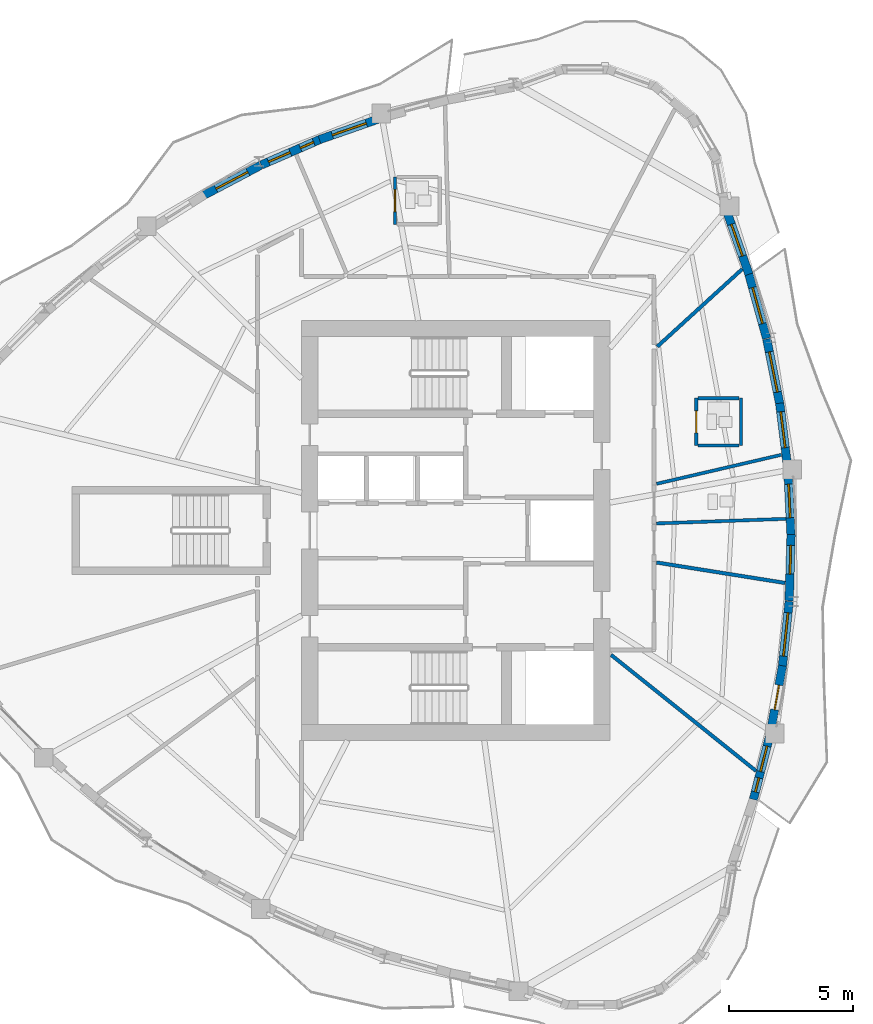
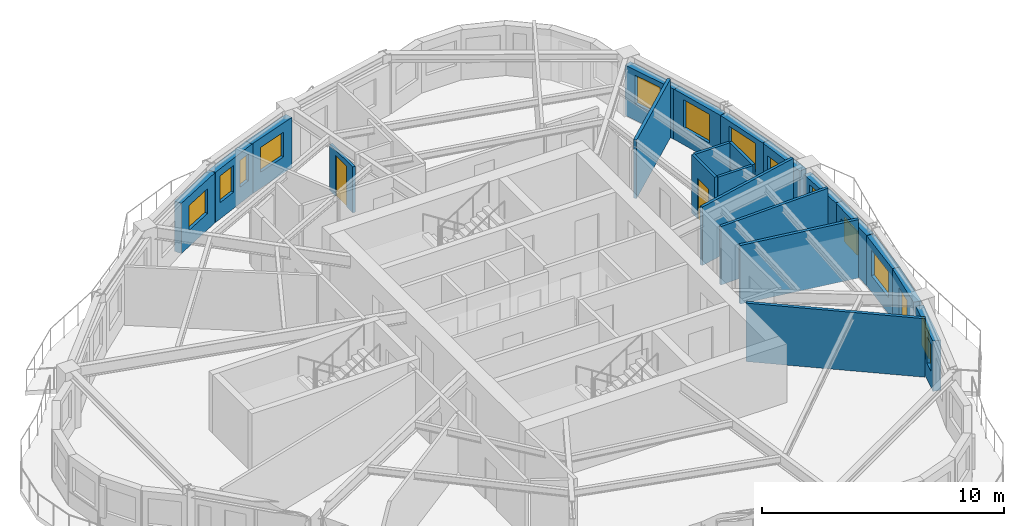
# One storey, part 8 of 13: 22 walls, 13 windows, 3 doors, 16 openings.
"""IFC4 building model written with IfcOpenShell, lengths in metres."""

from ifc_helpers import new_model, si_unit, direction, frame, frame_2d, origin, place, context, subcontext, project, spatial, rectangle, extrude, source, transform, mapped, material, layer, layer_set, type_object, element, fill, save


model = new_model("IFC4")

# Units and contexts
model_context = context("Model", 3, precision=1e-05, world=origin(), true_north=direction((0.0, 1.0)))
body_context = subcontext(model_context, "Body", "Model", "MODEL_VIEW")
ifc_project = project(units=[si_unit("LENGTHUNIT", "METRE"), si_unit("AREAUNIT", "SQUARE_METRE"), si_unit("VOLUMEUNIT", "CUBIC_METRE"), si_unit("PLANEANGLEUNIT", "RADIAN"), si_unit("MASSUNIT", "GRAM", prefix="KILO")], contexts=[model_context])

# Site, building, storey
site_placement = place(None, origin())
site = spatial("IfcSite", under=ifc_project, at=site_placement, CompositionType="ELEMENT")
building_placement = place(site_placement, origin())
building = spatial("IfcBuilding", under=site, at=building_placement, Name="Qafzar Sky-Pleat Residences", CompositionType="ELEMENT")
storey_placement = place(building_placement, frame((0.0, 0.0, 133.0)))
storey = spatial("IfcBuildingStorey", under=building, at=storey_placement, Name="L39", CompositionType="ELEMENT", Elevation=133.0)

# Walls
ifc_material_1 = material(Name="Acoustic gypsum plasterboard partition", Category="gypsum")
ifc_layer_1 = layer(ifc_material_1, 0.14501953125)
ifc_layer_set_1 = layer_set([ifc_layer_1], Name="Acoustic gypsum plasterboard partition")
wall_type_1 = type_object("IfcWallType", Name="PART-UNIT-145", PredefinedType="PARTITIONING", material=ifc_layer_set_1)
wall_1_placement = place(storey_placement, frame((36.6015625, 20.99658203125, 0.0), z_axis=(0.0, 0.0, 1.0), x_axis=(0.780696683128, -0.624910144703, 0.0)))
element("IfcWall", 1, at=wall_1_placement, inside=storey, type_object=wall_type_1, Name="L39 Partition Wall PART-L39-PW-018", PredefinedType="PARTITIONING", context=body_context, shape_type="SweptSolid", body=[
    extrude(rectangle(XDim=7.4736328125, YDim=0.14501953125, at=frame_2d((3.73681640625, 0.0))), origin(), (0.0, 0.0, 1.0), 2.949951171875),
])
wall_2_placement = place(storey_placement, frame((38.42919921875, 24.714111328125, 0.0), z_axis=(0.0, 0.0, 1.0), x_axis=(0.987561894046, -0.157230739454, 0.0)))
element("IfcWall", 2, at=wall_2_placement, inside=storey, type_object=wall_type_1, Name="L39 Partition Wall PART-L39-PW-020", PredefinedType="PARTITIONING", context=body_context, shape_type="SweptSolid", body=[
    extrude(rectangle(XDim=5.239013671875, YDim=0.14501953125, at=frame_2d((2.61962890625, 0.0))), origin(), (0.0, 0.0, 1.0), 2.949951171875),
])
wall_3_placement = place(storey_placement, frame((38.46484375, 33.405029296875, 0.0), z_axis=(0.0, 0.0, 1.0), x_axis=(0.738623645331, 0.674118024205, 0.0)))
element("IfcWall", 3, at=wall_3_placement, inside=storey, type_object=wall_type_1, Name="L39 Partition Wall PART-L39-PW-024", PredefinedType="PARTITIONING", context=body_context, shape_type="SweptSolid", body=[
    extrude(rectangle(XDim=4.62890625, YDim=0.14501953125, at=frame_2d((2.314453125, 0.0))), origin(), (0.0, 0.0, 1.0), 2.949951171875),
])

# Wall, opening, door
ifc_material_2 = material(Name="Moisture-resistant gypsum partition", Category="gypsum")
ifc_layer_2 = layer(ifc_material_2, 0.1298828125)
ifc_layer_set_2 = layer_set([ifc_layer_2], Name="Moisture-resistant gypsum partition")
wall_type_2 = type_object("IfcWallType", Name="PART-WET-130", PredefinedType="PARTITIONING", material=ifc_layer_set_2)
wall_4_placement = place(storey_placement, frame((40.02490234375, 31.324951171875, 0.0), z_axis=(0.0, 0.0, 1.0), x_axis=(0.0, -1.0, 0.0)))
wall_4 = element("IfcWall", 4, at=wall_4_placement, inside=storey, type_object=wall_type_2, Name="L39 Partition Wall PART-L39-PW-009", PredefinedType="PARTITIONING", context=body_context, shape_type="SweptSolid", body=[
    extrude(rectangle(XDim=1.89990234375, YDim=0.1298828125, at=frame_2d((0.949951171875, 0.0))), origin(), (0.0, 0.0, 1.0), 2.949951171875),
])
opening_1_placement = place(wall_4_placement, frame((0.510009765625, 0.0, 0.0)))
opening_1 = element("IfcOpeningElement", 5, at=opening_1_placement, cuts=wall_4, Name="Opening ID-07", PredefinedType="OPENING", context=body_context, shape_type="SweptSolid", body=[
    extrude(rectangle(XDim=0.8798828125, YDim=2.050048828125, at=frame_2d((0.43994140625, 1.02490234375))), frame((0.0, 0.074951171875, 0.0), z_axis=(0.0, -1.0, 0.0), x_axis=(1.0, 0.0, 0.0)), (0.0, 0.0, 1.0), 0.14990234375),
])
ifc_material_3 = material(Name="Timber-faced fire door", Category="wood")
door_type_1 = type_object("IfcDoorType", Name="DR-WET-880", OperationType="NOTDEFINED", PredefinedType="DOOR", material=ifc_material_3)
shared_shape_1 = source(origin(), body_context, "Body", "SweptSolid", [
    extrude(rectangle(XDim=0.8798828125, YDim=2.050048828125, at=frame_2d((0.43994140625, 1.02490234375))), frame((0.0, 0.02490234375, 0.0), z_axis=(0.0, -1.0, 0.0), x_axis=(1.0, 0.0, 0.0)), (0.0, 0.0, 1.0), 0.050048828125),
])
door_1_placement = place(opening_1_placement, origin())
door_1 = element("IfcDoor", 6, at=door_1_placement, inside=storey, type_object=door_type_1, Name="L39 En-suite Bathroom 1 Door", OperationType="SINGLE_SWING_RIGHT", OverallHeight=2.050048828125, OverallWidth=0.8798828125, PredefinedType="DOOR", context=body_context, shape_type="MappedRepresentation", body=[
    mapped(shared_shape_1, transform((0.0, 0.0, 0.0), x_axis=(1.0, 0.0, 0.0), y_axis=(0.0, 1.0, 0.0), z_axis=(0.0, 0.0, 1.0), scale=1.0)),
])
fill(opening_1, door_1)

wall_5_placement = place(storey_placement, frame((27.906005859375, 40.22509765625, 0.0), z_axis=(0.0, 0.0, 1.0), x_axis=(0.0, -1.0, 0.0)))
wall_5 = element("IfcWall", 7, at=wall_5_placement, inside=storey, type_object=wall_type_2, Name="L39 Partition Wall PART-L39-PW-010", PredefinedType="PARTITIONING", context=body_context, shape_type="SweptSolid", body=[
    extrude(rectangle(XDim=1.900146484375, YDim=0.1298828125, at=frame_2d((0.9501953125, 0.0))), origin(), (0.0, 0.0, 1.0), 2.318115234375),
])
opening_2_placement = place(wall_5_placement, frame((0.510009765625, 0.0, 0.0)))
opening_2 = element("IfcOpeningElement", 8, at=opening_2_placement, cuts=wall_5, Name="Opening ID-07", PredefinedType="OPENING", context=body_context, shape_type="SweptSolid", body=[
    extrude(rectangle(XDim=0.8798828125, YDim=2.050048828125, at=frame_2d((0.43994140625, 1.02490234375))), frame((0.0, 0.074951171875, 0.0), z_axis=(0.0, -1.0, 0.0), x_axis=(1.0, 0.0, 0.0)), (0.0, 0.0, 1.0), 0.14990234375),
])
door_2_placement = place(opening_2_placement, origin())
door_2 = element("IfcDoor", 9, at=door_2_placement, inside=storey, type_object=door_type_1, Name="L39 En-suite Bathroom 2 Door", OperationType="SINGLE_SWING_LEFT", OverallHeight=2.050048828125, OverallWidth=0.8798828125, PredefinedType="DOOR", context=body_context, shape_type="MappedRepresentation", body=[
    mapped(shared_shape_1, transform((0.0, 0.0, 0.0), x_axis=(1.0, 0.0, 0.0), y_axis=(0.0, 1.0, 0.0), z_axis=(0.0, 0.0, 1.0), scale=1.0)),
])
fill(opening_2, door_2)

# Walls
wall_6_placement = place(storey_placement, frame((38.42041015625, 26.28515625, 0.0), z_axis=(0.0, 0.0, 1.0), x_axis=(0.999370581131, 0.03547452002, 0.0)))
element("IfcWall", 10, at=wall_6_placement, inside=storey, type_object=wall_type_2, Name="L39 Partition Wall PART-L39-PW-022", PredefinedType="PARTITIONING", context=body_context, shape_type="SweptSolid", body=[
    extrude(rectangle(XDim=5.216552734375, YDim=0.1298828125, at=frame_2d((2.6083984375, 0.0))), origin(), (0.0, 0.0, 1.0), 2.949951171875),
])
wall_7_placement = place(storey_placement, frame((38.4326171875, 27.8798828125, 0.0), z_axis=(0.0, 0.0, 1.0), x_axis=(0.974013368575, 0.226490524828, 0.0)))
element("IfcWall", 11, at=wall_7_placement, inside=storey, type_object=wall_type_2, Name="L39 Partition Wall PART-L39-PW-023", PredefinedType="PARTITIONING", context=body_context, shape_type="SweptSolid", body=[
    extrude(rectangle(XDim=5.158935546875, YDim=0.1298828125, at=frame_2d((2.57958984375, 0.0))), origin(), (0.0, 0.0, 1.0), 2.949951171875),
])
wall_8_placement = place(storey_placement, frame((41.824951171875, 29.425048828125, 0.0), z_axis=(0.0, 0.0, 1.0), x_axis=(0.0, 1.0, 0.0)))
element("IfcWall", 12, at=wall_8_placement, inside=storey, type_object=wall_type_2, Name="L39 Partition Wall PART-L39-PW-027", PredefinedType="PARTITIONING", context=body_context, shape_type="SweptSolid", body=[
    extrude(rectangle(XDim=1.89990234375, YDim=0.1298828125, at=frame_2d((0.949951171875, 0.0))), origin(), (0.0, 0.0, 1.0), 2.949951171875),
])
for number, where, z_axis, x_axis, name in (
    (13, (40.097900390625, 31.324951171875, 0.0), (0.0, 0.0, 1.0), (1.0, 0.0, 0.0), "L39 Partition Wall PART-L39-PW-030"),
    (14, (40.097900390625, 29.425048828125, 0.0), (0.0, 0.0, 1.0), (1.0, 0.0, 0.0), "L39 Partition Wall PART-L39-PW-031"),
):
    element("IfcWall", number, at=place(storey_placement, frame(where, z_axis=z_axis, x_axis=x_axis)), inside=storey, type_object=wall_type_2, Name=name, PredefinedType="PARTITIONING", context=body_context, shape_type="SweptSolid", body=[
        extrude(rectangle(XDim=1.654052734375, YDim=0.1298828125, at=frame_2d((0.8271484375, 0.0))), origin(), (0.0, 0.0, 1.0), 2.949951171875),
    ])

# Wall, openings, windows
ifc_material_4 = material(Name="Precast concrete C40/50 with honed Riyadh limestone", Category="concrete")
ifc_layer_3 = layer(ifc_material_4, 0.340087890625)
ifc_layer_set_3 = layer_set([ifc_layer_3], Name="Precast concrete C40/50 with honed Riyadh limestone")
wall_type_3 = type_object("IfcWallType", Name="WALL-EXT-340", PredefinedType="SOLIDWALL", material=ifc_layer_set_3)
wall_9_placement = place(storey_placement, frame((42.3291015625, 15.177001953125, 0.0), z_axis=(0.0, 0.0, 1.0), x_axis=(0.247819063092, 0.968806333571, 0.0)))
wall_9 = element("IfcWall", 15, at=wall_9_placement, inside=storey, type_object=wall_type_3, Name="L39 Limestone Facade Wall 24", PredefinedType="SOLIDWALL", context=body_context, shape_type="SweptSolid", body=[
    extrude(rectangle(XDim=2.62939453125, YDim=0.340087890625, at=frame_2d((1.314697265625, 0.0))), origin(), (0.0, 0.0, 1.0), 2.530029296875),
])
opening_3_placement = place(wall_9_placement, frame((0.315185546875, 0.0, 0.820068359375)))
opening_3 = element("IfcOpeningElement", 16, at=opening_3_placement, cuts=wall_9, Name="Opening WN-17", PredefinedType="OPENING", context=body_context, shape_type="SweptSolid", body=[
    extrude(rectangle(XDim=0.580078125, YDim=1.35009765625, at=frame_2d((0.2900390625, 0.675048828125))), frame((0.0, 0.18017578125, 0.0), z_axis=(0.0, -1.0, 0.0), x_axis=(1.0, 0.0, 0.0)), (0.0, 0.0, 1.0), 0.360107421875),
])
opening_4_placement = place(wall_9_placement, frame((1.160400390625, 0.0, 0.820068359375)))
opening_4 = element("IfcOpeningElement", 17, at=opening_4_placement, cuts=wall_9, Name="Opening WN-06", PredefinedType="OPENING", context=body_context, shape_type="SweptSolid", body=[
    extrude(rectangle(XDim=1.050048828125, YDim=1.449951171875, at=frame_2d((0.52490234375, 0.72509765625))), frame((0.0, 0.18017578125, 0.0), z_axis=(0.0, -1.0, 0.0), x_axis=(1.0, 0.0, 0.0)), (0.0, 0.0, 1.0), 0.360107421875),
])
ifc_material_5 = material(Name="Solar-control low-E glass in bronze aluminium frame", Category="glass")
window_type_1 = type_object("IfcWindowType", Name="WIN-17", PartitioningType="SINGLE_PANEL", PredefinedType="WINDOW", material=ifc_material_5)
shared_shape_2 = source(origin(), body_context, "Body", "SweptSolid", [
    extrude(rectangle(XDim=0.580078125, YDim=1.35009765625, at=frame_2d((0.2900390625, 0.675048828125))), frame((0.0, 0.030029296875, 0.0), z_axis=(0.0, -1.0, 0.0), x_axis=(1.0, 0.0, 0.0)), (0.0, 0.0, 1.0), 0.06005859375),
])
window_1_placement = place(opening_3_placement, origin())
window_1 = element("IfcWindow", 18, at=window_1_placement, inside=storey, type_object=window_type_1, Name="L39 Punched Facade Window 24", OverallHeight=1.35009765625, OverallWidth=0.580078125, PartitioningType="SINGLE_PANEL", PredefinedType="WINDOW", context=body_context, shape_type="MappedRepresentation", body=[
    mapped(shared_shape_2, transform((0.0, 0.0, 0.0), x_axis=(1.0, 0.0, 0.0), y_axis=(0.0, 1.0, 0.0), z_axis=(0.0, 0.0, 1.0), scale=1.0)),
])
fill(opening_3, window_1)
window_type_2 = type_object("IfcWindowType", Name="WIN-06", PartitioningType="SINGLE_PANEL", PredefinedType="WINDOW", material=ifc_material_5)
shared_shape_3 = source(origin(), body_context, "Body", "SweptSolid", [
    extrude(rectangle(XDim=1.050048828125, YDim=1.449951171875, at=frame_2d((0.52490234375, 0.72509765625))), frame((0.0, 0.030029296875, 0.0), z_axis=(0.0, -1.0, 0.0), x_axis=(1.0, 0.0, 0.0)), (0.0, 0.0, 1.0), 0.06005859375),
])
window_2_placement = place(opening_4_placement, origin())
window_2 = element("IfcWindow", 19, at=window_2_placement, inside=storey, type_object=window_type_2, Name="L39 Punched Facade Window 24-2", OverallHeight=1.449951171875, OverallWidth=1.050048828125, PartitioningType="SINGLE_PANEL", PredefinedType="WINDOW", context=body_context, shape_type="MappedRepresentation", body=[
    mapped(shared_shape_3, transform((0.0, 0.0, 0.0), x_axis=(1.0, 0.0, 0.0), y_axis=(0.0, 1.0, 0.0), z_axis=(0.0, 0.0, 1.0), scale=1.0)),
])
fill(opening_4, window_2)

# Wall, opening, door
wall_10_placement = place(storey_placement, frame((43.0439453125, 18.01513671875, 0.0), z_axis=(0.0, 0.0, 1.0), x_axis=(0.177114569603, 0.984190240367, 0.0)))
wall_10 = element("IfcWall", 20, at=wall_10_placement, inside=storey, type_object=wall_type_3, Name="L39 Limestone Facade Wall 25", PredefinedType="SOLIDWALL", context=body_context, shape_type="SweptSolid", body=[
    extrude(rectangle(XDim=2.58447265625, YDim=0.340087890625, at=frame_2d((1.292236328125, 0.0))), origin(), (0.0, 0.0, 1.0), 2.530029296875),
])
opening_5_placement = place(wall_10_placement, frame((0.792236328125, 0.0, 0.0)))
opening_5 = element("IfcOpeningElement", 21, at=opening_5_placement, cuts=wall_10, Name="Opening ED-05", PredefinedType="OPENING", context=body_context, shape_type="SweptSolid", body=[
    extrude(rectangle(XDim=1.0, YDim=2.10009765625, at=frame_2d((0.5, 1.050048828125))), frame((0.0, 0.18017578125, 0.0), z_axis=(0.0, -1.0, 0.0), x_axis=(1.0, 0.0, 0.0)), (0.0, 0.0, 1.0), 0.360107421875),
])
ifc_material_6 = material(Name="Glazed bronze aluminium door", Category="aluminium")
door_type_2 = type_object("IfcDoorType", Name="DR-BAL-1000", OperationType="NOTDEFINED", PredefinedType="DOOR", material=ifc_material_6)
shared_shape_4 = source(origin(), body_context, "Body", "SweptSolid", [
    extrude(rectangle(XDim=1.0, YDim=2.10009765625, at=frame_2d((0.5, 1.050048828125))), frame((0.0, 0.02490234375, 0.0), z_axis=(0.0, -1.0, 0.0), x_axis=(1.0, 0.0, 0.0)), (0.0, 0.0, 1.0), 0.050048828125),
])
door_3_placement = place(opening_5_placement, origin())
door_3 = element("IfcDoor", 22, at=door_3_placement, inside=storey, type_object=door_type_2, Name="L39 Glazed Balcony Door 1", OperationType="SINGLE_SWING_LEFT", OverallHeight=2.10009765625, OverallWidth=1.0, PredefinedType="DOOR", context=body_context, shape_type="MappedRepresentation", body=[
    mapped(shared_shape_4, transform((0.0, 0.0, 0.0), x_axis=(1.0, 0.0, 0.0), y_axis=(0.0, 1.0, 0.0), z_axis=(0.0, 0.0, 1.0), scale=1.0)),
])
fill(opening_5, door_3)

# Wall, opening, window
wall_11_placement = place(storey_placement, frame((43.489501953125, 20.47119140625, 0.0), z_axis=(0.0, 0.0, 1.0), x_axis=(0.103673439924, 0.99461139037, 0.0)))
wall_11 = element("IfcWall", 23, at=wall_11_placement, inside=storey, type_object=wall_type_3, Name="L39 Limestone Facade Wall 26", PredefinedType="SOLIDWALL", context=body_context, shape_type="SweptSolid", body=[
    extrude(rectangle(XDim=2.689208984375, YDim=0.340087890625, at=frame_2d((1.3447265625, 0.0))), origin(), (0.0, 0.0, 1.0), 2.530029296875),
])
opening_6_placement = place(wall_11_placement, frame((0.479736328125, 0.0, 0.820068359375)))
opening_6 = element("IfcOpeningElement", 24, at=opening_6_placement, cuts=wall_11, Name="Opening WN-14", PredefinedType="OPENING", context=body_context, shape_type="SweptSolid", body=[
    extrude(rectangle(XDim=1.75, YDim=1.300048828125, at=frame_2d((0.875, 0.64990234375))), frame((0.0, 0.18017578125, 0.0), z_axis=(0.0, -1.0, 0.0), x_axis=(1.0, 0.0, 0.0)), (0.0, 0.0, 1.0), 0.360107421875),
])
window_type_3 = type_object("IfcWindowType", Name="WIN-14", PartitioningType="DOUBLE_PANEL_VERTICAL", PredefinedType="WINDOW", material=ifc_material_5)
shared_shape_5 = source(origin(), body_context, "Body", "SweptSolid", [
    extrude(rectangle(XDim=1.75, YDim=1.300048828125, at=frame_2d((0.875, 0.64990234375))), frame((0.0, 0.030029296875, 0.0), z_axis=(0.0, -1.0, 0.0), x_axis=(1.0, 0.0, 0.0)), (0.0, 0.0, 1.0), 0.06005859375),
])
window_3_placement = place(opening_6_placement, origin())
window_3 = element("IfcWindow", 25, at=window_3_placement, inside=storey, type_object=window_type_3, Name="L39 Punched Facade Window 26", OverallHeight=1.300048828125, OverallWidth=1.75, PartitioningType="SINGLE_PANEL", PredefinedType="WINDOW", context=body_context, shape_type="MappedRepresentation", body=[
    mapped(shared_shape_5, transform((0.0, 0.0, 0.0), x_axis=(1.0, 0.0, 0.0), y_axis=(0.0, 1.0, 0.0), z_axis=(0.0, 0.0, 1.0), scale=1.0)),
])
fill(opening_6, window_3)

wall_12_placement = place(storey_placement, frame((43.77001953125, 23.173095703125, 0.0), z_axis=(0.0, 0.0, 1.0), x_axis=(0.028392968923, 0.999596838388, 0.0)))
wall_12 = element("IfcWall", 26, at=wall_12_placement, inside=storey, type_object=wall_type_3, Name="L39 Limestone Facade Wall 27", PredefinedType="SOLIDWALL", context=body_context, shape_type="SweptSolid", body=[
    extrude(rectangle(XDim=2.674072265625, YDim=0.340087890625, at=frame_2d((1.3369140625, 0.0))), origin(), (0.0, 0.0, 1.0), 2.530029296875),
])
opening_7_placement = place(wall_12_placement, frame((1.076416015625, 0.0, 0.820068359375)))
opening_7 = element("IfcOpeningElement", 27, at=opening_7_placement, cuts=wall_12, Name="Opening WN-16", PredefinedType="OPENING", context=body_context, shape_type="SweptSolid", body=[
    extrude(rectangle(XDim=1.14990234375, YDim=1.199951171875, at=frame_2d((0.574951171875, 0.60009765625))), frame((0.0, 0.18017578125, 0.0), z_axis=(0.0, -1.0, 0.0), x_axis=(1.0, 0.0, 0.0)), (0.0, 0.0, 1.0), 0.360107421875),
])
window_type_4 = type_object("IfcWindowType", Name="WIN-16", PartitioningType="SINGLE_PANEL", PredefinedType="WINDOW", material=ifc_material_5)
shared_shape_6 = source(origin(), body_context, "Body", "SweptSolid", [
    extrude(rectangle(XDim=1.14990234375, YDim=1.199951171875, at=frame_2d((0.574951171875, 0.60009765625))), frame((0.0, 0.030029296875, 0.0), z_axis=(0.0, -1.0, 0.0), x_axis=(1.0, 0.0, 0.0)), (0.0, 0.0, 1.0), 0.06005859375),
])
window_4_placement = place(opening_7_placement, origin())
window_4 = element("IfcWindow", 28, at=window_4_placement, inside=storey, type_object=window_type_4, Name="L39 Punched Facade Window 27-2", OverallHeight=1.199951171875, OverallWidth=1.14990234375, PartitioningType="SINGLE_PANEL", PredefinedType="WINDOW", context=body_context, shape_type="MappedRepresentation", body=[
    mapped(shared_shape_6, transform((0.0, 0.0, 0.0), x_axis=(1.0, 0.0, 0.0), y_axis=(0.0, 1.0, 0.0), z_axis=(0.0, 0.0, 1.0), scale=1.0)),
])
fill(opening_7, window_4)

wall_13_placement = place(storey_placement, frame((43.8466796875, 25.75732421875, 0.0), z_axis=(0.0, 0.0, 1.0), x_axis=(-0.047592557699, 0.998866832191, 0.0)))
wall_13 = element("IfcWall", 29, at=wall_13_placement, inside=storey, type_object=wall_type_3, Name="L39 Limestone Facade Wall 28", PredefinedType="SOLIDWALL", context=body_context, shape_type="SweptSolid", body=[
    extrude(rectangle(XDim=2.539306640625, YDim=0.340087890625, at=frame_2d((1.26953125, 0.0))), origin(), (0.0, 0.0, 1.0), 2.530029296875),
])
opening_8_placement = place(wall_13_placement, frame((0.760498046875, 0.0, 0.820068359375)))
opening_8 = element("IfcOpeningElement", 30, at=opening_8_placement, cuts=wall_13, Name="Opening WN-04", PredefinedType="OPENING", context=body_context, shape_type="SweptSolid", body=[
    extrude(rectangle(XDim=1.35009765625, YDim=1.449951171875, at=frame_2d((0.675048828125, 0.72509765625))), frame((0.0, 0.18017578125, 0.0), z_axis=(0.0, -1.0, 0.0), x_axis=(1.0, 0.0, 0.0)), (0.0, 0.0, 1.0), 0.360107421875),
])
window_type_5 = type_object("IfcWindowType", Name="WIN-04", PartitioningType="SINGLE_PANEL", PredefinedType="WINDOW", material=ifc_material_5)
shared_shape_7 = source(origin(), body_context, "Body", "SweptSolid", [
    extrude(rectangle(XDim=1.35009765625, YDim=1.449951171875, at=frame_2d((0.675048828125, 0.72509765625))), frame((0.0, 0.030029296875, 0.0), z_axis=(0.0, -1.0, 0.0), x_axis=(1.0, 0.0, 0.0)), (0.0, 0.0, 1.0), 0.06005859375),
])
window_5_placement = place(opening_8_placement, origin())
window_5 = element("IfcWindow", 31, at=window_5_placement, inside=storey, type_object=window_type_5, Name="L39 Punched Facade Window 28-2", OverallHeight=1.449951171875, OverallWidth=1.35009765625, PartitioningType="SINGLE_PANEL", PredefinedType="WINDOW", context=body_context, shape_type="MappedRepresentation", body=[
    mapped(shared_shape_7, transform((0.0, 0.0, 0.0), x_axis=(1.0, 0.0, 0.0), y_axis=(0.0, 1.0, 0.0), z_axis=(0.0, 0.0, 1.0), scale=1.0)),
])
fill(opening_8, window_5)

wall_14_placement = place(storey_placement, frame((43.70068359375, 28.589599609375, 0.0), z_axis=(0.0, 0.0, 1.0), x_axis=(-0.122917094115, 0.992416942607, 0.0)))
wall_14 = element("IfcWall", 32, at=wall_14_placement, inside=storey, type_object=wall_type_3, Name="L39 Limestone Facade Wall 29", PredefinedType="SOLIDWALL", context=body_context, shape_type="SweptSolid", body=[
    extrude(rectangle(XDim=2.55419921875, YDim=0.340087890625, at=frame_2d((1.277099609375, 0.0))), origin(), (0.0, 0.0, 1.0), 2.530029296875),
])
opening_9_placement = place(wall_14_placement, frame((0.756103515625, 0.0, 0.820068359375)))
opening_9 = element("IfcOpeningElement", 33, at=opening_9_placement, cuts=wall_14, Name="Opening WN-15", PredefinedType="OPENING", context=body_context, shape_type="SweptSolid", body=[
    extrude(rectangle(XDim=1.449951171875, YDim=1.25, at=frame_2d((0.72509765625, 0.625))), frame((0.0, 0.18017578125, 0.0), z_axis=(0.0, -1.0, 0.0), x_axis=(1.0, 0.0, 0.0)), (0.0, 0.0, 1.0), 0.360107421875),
])
window_type_6 = type_object("IfcWindowType", Name="WIN-15", PartitioningType="SINGLE_PANEL", PredefinedType="WINDOW", material=ifc_material_5)
shared_shape_8 = source(origin(), body_context, "Body", "SweptSolid", [
    extrude(rectangle(XDim=1.449951171875, YDim=1.25, at=frame_2d((0.72509765625, 0.625))), frame((0.0, 0.030029296875, 0.0), z_axis=(0.0, -1.0, 0.0), x_axis=(1.0, 0.0, 0.0)), (0.0, 0.0, 1.0), 0.06005859375),
])
window_6_placement = place(opening_9_placement, origin())
window_6 = element("IfcWindow", 34, at=window_6_placement, inside=storey, type_object=window_type_6, Name="L39 Punched Facade Window 29-2", OverallHeight=1.25, OverallWidth=1.449951171875, PartitioningType="SINGLE_PANEL", PredefinedType="WINDOW", context=body_context, shape_type="MappedRepresentation", body=[
    mapped(shared_shape_8, transform((0.0, 0.0, 0.0), x_axis=(1.0, 0.0, 0.0), y_axis=(0.0, 1.0, 0.0), z_axis=(0.0, 0.0, 1.0), scale=1.0)),
])
fill(opening_9, window_6)

wall_15_placement = place(storey_placement, frame((43.40087890625, 31.037109375, 0.0), z_axis=(0.0, 0.0, 1.0), x_axis=(-0.196047084538, 0.980594483283, 0.0)))
wall_15 = element("IfcWall", 35, at=wall_15_placement, inside=storey, type_object=wall_type_3, Name="L39 Limestone Facade Wall 30", PredefinedType="SOLIDWALL", context=body_context, shape_type="SweptSolid", body=[
    extrude(rectangle(XDim=2.7197265625, YDim=0.340087890625, at=frame_2d((1.35986328125, 0.0))), origin(), (0.0, 0.0, 1.0), 2.530029296875),
])
opening_10_placement = place(wall_15_placement, frame((0.544921875, 0.0, 0.820068359375)))
opening_10 = element("IfcOpeningElement", 36, at=opening_10_placement, cuts=wall_15, Name="Opening WN-02", PredefinedType="OPENING", context=body_context, shape_type="SweptSolid", body=[
    extrude(rectangle(XDim=1.64990234375, YDim=1.449951171875, at=frame_2d((0.824951171875, 0.72509765625))), frame((0.0, 0.18017578125, 0.0), z_axis=(0.0, -1.0, 0.0), x_axis=(1.0, 0.0, 0.0)), (0.0, 0.0, 1.0), 0.360107421875),
])
window_type_7 = type_object("IfcWindowType", Name="WIN-02", PartitioningType="DOUBLE_PANEL_VERTICAL", PredefinedType="WINDOW", material=ifc_material_5)
shared_shape_9 = source(origin(), body_context, "Body", "SweptSolid", [
    extrude(rectangle(XDim=1.64990234375, YDim=1.449951171875, at=frame_2d((0.824951171875, 0.72509765625))), frame((0.0, 0.030029296875, 0.0), z_axis=(0.0, -1.0, 0.0), x_axis=(1.0, 0.0, 0.0)), (0.0, 0.0, 1.0), 0.06005859375),
])
window_7_placement = place(opening_10_placement, origin())
window_7 = element("IfcWindow", 37, at=window_7_placement, inside=storey, type_object=window_type_7, Name="L39 Punched Facade Window 30", OverallHeight=1.449951171875, OverallWidth=1.64990234375, PartitioningType="SINGLE_PANEL", PredefinedType="WINDOW", context=body_context, shape_type="MappedRepresentation", body=[
    mapped(shared_shape_9, transform((0.0, 0.0, 0.0), x_axis=(1.0, 0.0, 0.0), y_axis=(0.0, 1.0, 0.0), z_axis=(0.0, 0.0, 1.0), scale=1.0)),
])
fill(opening_10, window_7)

wall_16_placement = place(storey_placement, frame((42.861083984375, 33.73095703125, 0.0), z_axis=(0.0, 0.0, 1.0), x_axis=(-0.266277078362, 0.96389652844, 0.0)))
wall_16 = element("IfcWall", 38, at=wall_16_placement, inside=storey, type_object=wall_type_3, Name="L39 Limestone Facade Wall 31", PredefinedType="SOLIDWALL", context=body_context, shape_type="SweptSolid", body=[
    extrude(rectangle(XDim=2.764404296875, YDim=0.340087890625, at=frame_2d((1.38232421875, 0.0))), origin(), (0.0, 0.0, 1.0), 2.530029296875),
])
opening_11_placement = place(wall_16_placement, frame((0.622314453125, 0.0, 0.820068359375)))
opening_11 = element("IfcOpeningElement", 39, at=opening_11_placement, cuts=wall_16, Name="Opening WN-03", PredefinedType="OPENING", context=body_context, shape_type="SweptSolid", body=[
    extrude(rectangle(XDim=1.5, YDim=1.449951171875, at=frame_2d((0.75, 0.72509765625))), frame((0.0, 0.18017578125, 0.0), z_axis=(0.0, -1.0, 0.0), x_axis=(1.0, 0.0, 0.0)), (0.0, 0.0, 1.0), 0.360107421875),
])
window_type_8 = type_object("IfcWindowType", Name="WIN-03", PartitioningType="DOUBLE_PANEL_VERTICAL", PredefinedType="WINDOW", material=ifc_material_5)
shared_shape_10 = source(origin(), body_context, "Body", "SweptSolid", [
    extrude(rectangle(XDim=1.5, YDim=1.449951171875, at=frame_2d((0.75, 0.72509765625))), frame((0.0, 0.030029296875, 0.0), z_axis=(0.0, -1.0, 0.0), x_axis=(1.0, 0.0, 0.0)), (0.0, 0.0, 1.0), 0.06005859375),
])
window_8_placement = place(opening_11_placement, origin())
window_8 = element("IfcWindow", 40, at=window_8_placement, inside=storey, type_object=window_type_8, Name="L39 Punched Facade Window 31", OverallHeight=1.449951171875, OverallWidth=1.5, PartitioningType="SINGLE_PANEL", PredefinedType="WINDOW", context=body_context, shape_type="MappedRepresentation", body=[
    mapped(shared_shape_10, transform((0.0, 0.0, 0.0), x_axis=(1.0, 0.0, 0.0), y_axis=(0.0, 1.0, 0.0), z_axis=(0.0, 0.0, 1.0), scale=1.0)),
])
fill(opening_11, window_8)

wall_17_placement = place(storey_placement, frame((42.151123046875, 36.31201171875, 0.0), z_axis=(0.0, 0.0, 1.0), x_axis=(-0.332691841861, 0.94303559761, 0.0)))
wall_17 = element("IfcWall", 41, at=wall_17_placement, inside=storey, type_object=wall_type_3, Name="L39 Limestone Facade Wall 32", PredefinedType="SOLIDWALL", context=body_context, shape_type="SweptSolid", body=[
    extrude(rectangle(XDim=2.68798828125, YDim=0.340087890625, at=frame_2d((1.343994140625, 0.0))), origin(), (0.0, 0.0, 1.0), 2.530029296875),
])
opening_12_placement = place(wall_17_placement, frame((0.78369140625, 0.0, 0.820068359375)))
opening_12 = element("IfcOpeningElement", 42, at=opening_12_placement, cuts=wall_17, Name="Opening WN-04", PredefinedType="OPENING", context=body_context, shape_type="SweptSolid", body=[
    extrude(rectangle(XDim=1.35009765625, YDim=1.449951171875, at=frame_2d((0.675048828125, 0.72509765625))), frame((0.0, 0.18017578125, 0.0), z_axis=(0.0, -1.0, 0.0), x_axis=(1.0, 0.0, 0.0)), (0.0, 0.0, 1.0), 0.360107421875),
])
window_9_placement = place(opening_12_placement, origin())
window_9 = element("IfcWindow", 43, at=window_9_placement, inside=storey, type_object=window_type_5, Name="L39 Punched Facade Window 32", OverallHeight=1.449951171875, OverallWidth=1.35009765625, PartitioningType="SINGLE_PANEL", PredefinedType="WINDOW", context=body_context, shape_type="MappedRepresentation", body=[
    mapped(shared_shape_7, transform((0.0, 0.0, 0.0), x_axis=(1.0, 0.0, 0.0), y_axis=(0.0, 1.0, 0.0), z_axis=(0.0, 0.0, 1.0), scale=1.0)),
])
fill(opening_12, window_9)

wall_18_placement = place(storey_placement, frame((27.261962890625, 42.569580078125, 0.0), z_axis=(0.0, 0.0, 1.0), x_axis=(-0.944148723561, -0.329519631884, 0.0)))
wall_18 = element("IfcWall", 44, at=wall_18_placement, inside=storey, type_object=wall_type_3, Name="L39 Limestone Facade Wall 41", PredefinedType="SOLIDWALL", context=body_context, shape_type="SweptSolid", body=[
    extrude(rectangle(XDim=2.539794921875, YDim=0.340087890625, at=frame_2d((1.27001953125, 0.0))), origin(), (0.0, 0.0, 1.0), 2.530029296875),
])
opening_13_placement = place(wall_18_placement, frame((0.539794921875, 0.0, 0.820068359375)))
opening_13 = element("IfcOpeningElement", 45, at=opening_13_placement, cuts=wall_18, Name="Opening WN-15", PredefinedType="OPENING", context=body_context, shape_type="SweptSolid", body=[
    extrude(rectangle(XDim=1.449951171875, YDim=1.25, at=frame_2d((0.72509765625, 0.625))), frame((0.0, 0.18017578125, 0.0), z_axis=(0.0, -1.0, 0.0), x_axis=(1.0, 0.0, 0.0)), (0.0, 0.0, 1.0), 0.360107421875),
])
window_10_placement = place(opening_13_placement, origin())
window_10 = element("IfcWindow", 46, at=window_10_placement, inside=storey, type_object=window_type_6, Name="L39 Punched Facade Window 41", OverallHeight=1.25, OverallWidth=1.449951171875, PartitioningType="SINGLE_PANEL", PredefinedType="WINDOW", context=body_context, shape_type="MappedRepresentation", body=[
    mapped(shared_shape_8, transform((0.0, 0.0, 0.0), x_axis=(1.0, 0.0, 0.0), y_axis=(0.0, 1.0, 0.0), z_axis=(0.0, 0.0, 1.0), scale=1.0)),
])
fill(opening_13, window_10)

# Wall, openings, windows
wall_19_placement = place(storey_placement, frame((24.946533203125, 41.764892578125, 0.0), z_axis=(0.0, 0.0, 1.0), x_axis=(-0.917074459221, -0.398715984435, 0.0)))
wall_19 = element("IfcWall", 47, at=wall_19_placement, inside=storey, type_object=wall_type_3, Name="L39 Limestone Facade Wall 42", PredefinedType="SOLIDWALL", context=body_context, shape_type="SweptSolid", body=[
    extrude(rectangle(XDim=2.64453125, YDim=0.340087890625, at=frame_2d((1.322265625, 0.0))), origin(), (0.0, 0.0, 1.0), 2.530029296875),
])
opening_14_placement = place(wall_19_placement, frame((0.344482421875, 0.0, 0.820068359375)))
opening_14 = element("IfcOpeningElement", 48, at=opening_14_placement, cuts=wall_19, Name="Opening WN-17", PredefinedType="OPENING", context=body_context, shape_type="SweptSolid", body=[
    extrude(rectangle(XDim=0.580078125, YDim=1.35009765625, at=frame_2d((0.2900390625, 0.675048828125))), frame((0.0, 0.18017578125, 0.0), z_axis=(0.0, -1.0, 0.0), x_axis=(1.0, 0.0, 0.0)), (0.0, 0.0, 1.0), 0.360107421875),
])
opening_15_placement = place(wall_19_placement, frame((1.3720703125, 0.0, 0.820068359375)))
opening_15 = element("IfcOpeningElement", 49, at=opening_15_placement, cuts=wall_19, Name="Opening WN-12", PredefinedType="OPENING", context=body_context, shape_type="SweptSolid", body=[
    extrude(rectangle(XDim=0.949951171875, YDim=1.35009765625, at=frame_2d((0.47509765625, 0.675048828125))), frame((0.0, 0.18017578125, 0.0), z_axis=(0.0, -1.0, 0.0), x_axis=(1.0, 0.0, 0.0)), (0.0, 0.0, 1.0), 0.360107421875),
])
window_type_9 = type_object("IfcWindowType", Name="WIN-12", PartitioningType="SINGLE_PANEL", PredefinedType="WINDOW", material=ifc_material_5)
shared_shape_11 = source(origin(), body_context, "Body", "SweptSolid", [
    extrude(rectangle(XDim=0.949951171875, YDim=1.35009765625, at=frame_2d((0.47509765625, 0.675048828125))), frame((0.0, 0.030029296875, 0.0), z_axis=(0.0, -1.0, 0.0), x_axis=(1.0, 0.0, 0.0)), (0.0, 0.0, 1.0), 0.06005859375),
])
window_11_placement = place(opening_15_placement, origin())
window_11 = element("IfcWindow", 50, at=window_11_placement, inside=storey, type_object=window_type_9, Name="L39 Punched Facade Window 42-2", OverallHeight=1.35009765625, OverallWidth=0.949951171875, PartitioningType="SINGLE_PANEL", PredefinedType="WINDOW", context=body_context, shape_type="MappedRepresentation", body=[
    mapped(shared_shape_11, transform((0.0, 0.0, 0.0), x_axis=(1.0, 0.0, 0.0), y_axis=(0.0, 1.0, 0.0), z_axis=(0.0, 0.0, 1.0), scale=1.0)),
])
fill(opening_15, window_11)
window_12_placement = place(opening_14_placement, origin())
window_12 = element("IfcWindow", 51, at=window_12_placement, inside=storey, type_object=window_type_1, Name="L39 Punched Facade Window 42", OverallHeight=1.35009765625, OverallWidth=0.580078125, PartitioningType="SINGLE_PANEL", PredefinedType="WINDOW", context=body_context, shape_type="MappedRepresentation", body=[
    mapped(shared_shape_2, transform((0.0, 0.0, 0.0), x_axis=(1.0, 0.0, 0.0), y_axis=(0.0, 1.0, 0.0), z_axis=(0.0, 0.0, 1.0), scale=1.0)),
])
fill(opening_14, window_12)

# Wall, opening, window
wall_20_placement = place(storey_placement, frame((22.496826171875, 40.69873046875, 0.0), z_axis=(0.0, 0.0, 1.0), x_axis=(-0.88439007496, -0.466748535415, 0.0)))
wall_20 = element("IfcWall", 52, at=wall_20_placement, inside=storey, type_object=wall_type_3, Name="L39 Limestone Facade Wall 43", PredefinedType="SOLIDWALL", context=body_context, shape_type="SweptSolid", body=[
    extrude(rectangle(XDim=2.6298828125, YDim=0.340087890625, at=frame_2d((1.31494140625, 0.0))), origin(), (0.0, 0.0, 1.0), 2.530029296875),
])
opening_16_placement = place(wall_20_placement, frame((0.579833984375, 0.0, 0.820068359375)))
opening_16 = element("IfcOpeningElement", 53, at=opening_16_placement, cuts=wall_20, Name="Opening WN-15", PredefinedType="OPENING", context=body_context, shape_type="SweptSolid", body=[
    extrude(rectangle(XDim=1.449951171875, YDim=1.25, at=frame_2d((0.72509765625, 0.625))), frame((0.0, 0.18017578125, 0.0), z_axis=(0.0, -1.0, 0.0), x_axis=(1.0, 0.0, 0.0)), (0.0, 0.0, 1.0), 0.360107421875),
])
window_13_placement = place(opening_16_placement, origin())
window_13 = element("IfcWindow", 54, at=window_13_placement, inside=storey, type_object=window_type_6, Name="L39 Punched Facade Window 43", OverallHeight=1.25, OverallWidth=1.449951171875, PartitioningType="SINGLE_PANEL", PredefinedType="WINDOW", context=body_context, shape_type="MappedRepresentation", body=[
    mapped(shared_shape_8, transform((0.0, 0.0, 0.0), x_axis=(1.0, 0.0, 0.0), y_axis=(0.0, 1.0, 0.0), z_axis=(0.0, 0.0, 1.0), scale=1.0)),
])
fill(opening_16, window_13)

save(model, "model.ifc")
